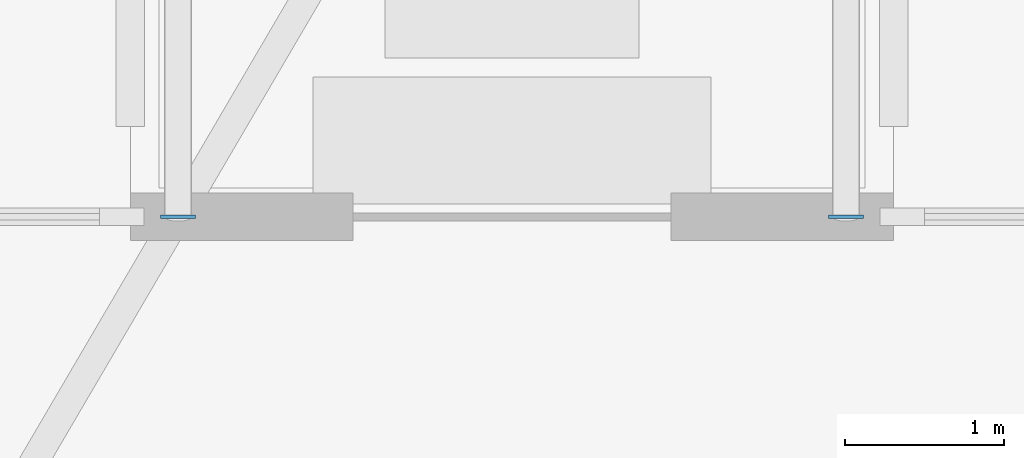
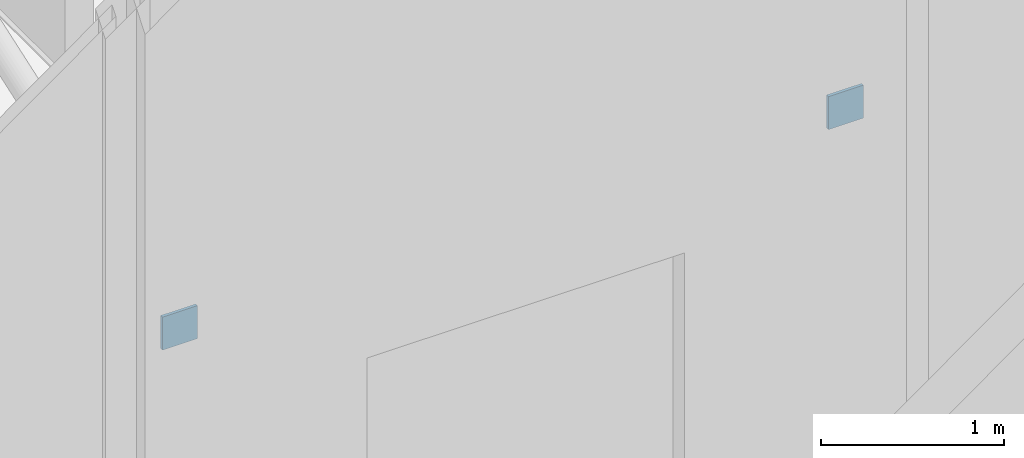
# One storey, part 15 of 24: 2 plates.
"""IFC4 building model written with IfcOpenShell, lengths in metres."""

from ifc_helpers import new_model, si_unit, direction, frame, origin, origin_2d, place, context, subcontext, project, spatial, rectangle, extrude, material, layer, layer_set, type_object, element, save


model = new_model("IFC4")

# Units and contexts
model_context = context("Model", 3, precision=1e-05, world=origin(), true_north=direction((0.0, 1.0)))
body_context = subcontext(model_context, "Body", "Model", "MODEL_VIEW")
ifc_project = project(units=[si_unit("LENGTHUNIT", "METRE"), si_unit("AREAUNIT", "SQUARE_METRE"), si_unit("VOLUMEUNIT", "CUBIC_METRE"), si_unit("PLANEANGLEUNIT", "RADIAN"), si_unit("MASSUNIT", "GRAM", prefix="KILO")], contexts=[model_context])

# Site, building, storey
site_placement = place(None, origin())
site = spatial("IfcSite", under=ifc_project, at=site_placement, CompositionType="ELEMENT")
building_placement = place(site_placement, origin())
building = spatial("IfcBuilding", under=site, at=building_placement, Name="Menara Jurai Vektor", CompositionType="ELEMENT")
storey_placement = place(building_placement, origin())
storey = spatial("IfcBuildingStorey", under=building, at=storey_placement, Name="L00", CompositionType="ELEMENT", Elevation=0.0)

# Plates
ifc_material = material(Name="Steel S355", Category="steel")
ifc_layer = layer(ifc_material, 0.02001953125)
ifc_layer_set = layer_set([ifc_layer], Name="Steel S355")
plate_type = type_object("IfcPlateType", Name="STR-PLT-ANCH20", PredefinedType="SHEET", material=ifc_layer_set)
for number, where, z_axis, x_axis, name in (
    (1, (-11.10009765625, 11.5, 2.7900390625), (0.0, 0.0, 1.0), (1.0, 0.0, 0.0), "Canopy Strut Anchor Plate E4-1"),
    (2, (-6.89990234375, 11.5, 2.7900390625), (0.0, 0.0, 1.0), (1.0, 0.0, 0.0), "Canopy Strut Anchor Plate E4-2"),
):
    element("IfcPlate", number, at=place(storey_placement, frame(where, z_axis=z_axis, x_axis=x_axis)), inside=storey, type_object=plate_type, Name=name, PredefinedType="SHEET", context=body_context, shape_type="SweptSolid", body=[
        extrude(rectangle(XDim=0.219970703125, YDim=0.02001953125, at=origin_2d()), origin(), (0.0, 0.0, 1.0), 0.219970703125),
    ])

save(model, "model.ifc")
